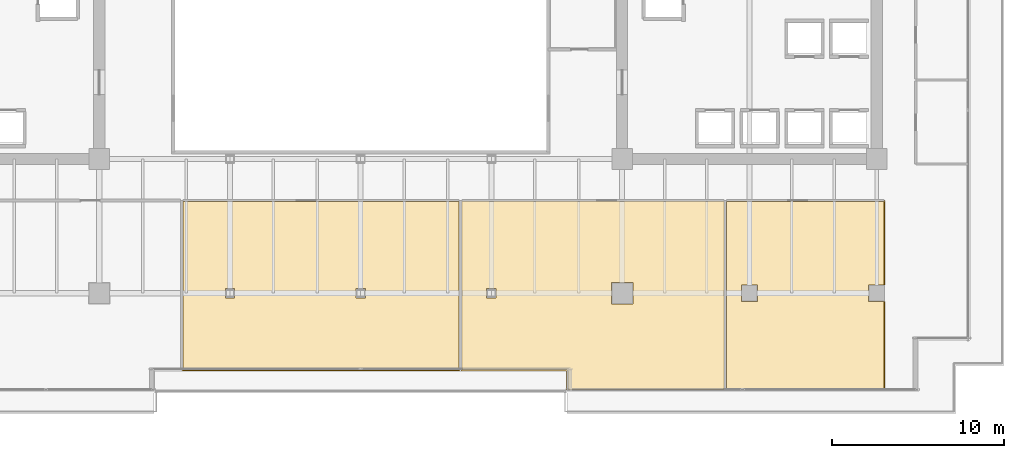
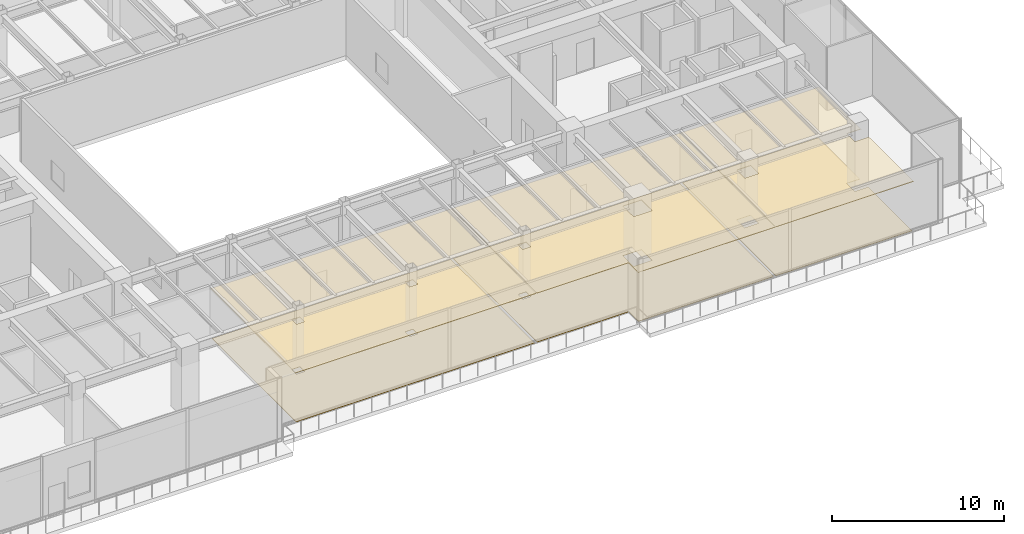
# One storey, part 31 of 33: 6 coverings.
"""IFC4 building model written with IfcOpenShell, lengths in metres."""

from ifc_helpers import new_model, si_unit, direction, frame, origin, place, context, subcontext, project, spatial, polyline, outline, extrude, material, layer, layer_set, type_object, element, save


model = new_model("IFC4")

# Units and contexts
model_context = context("Model", 3, precision=1e-05, world=origin(), true_north=direction((0.0, 1.0)))
body_context = subcontext(model_context, "Body", "Model", "MODEL_VIEW")
ifc_project = project(units=[si_unit("LENGTHUNIT", "METRE"), si_unit("AREAUNIT", "SQUARE_METRE"), si_unit("VOLUMEUNIT", "CUBIC_METRE"), si_unit("PLANEANGLEUNIT", "RADIAN"), si_unit("MASSUNIT", "GRAM", prefix="KILO")], contexts=[model_context])

# Site, building, storey
site_placement = place(None, origin())
site = spatial("IfcSite", under=ifc_project, at=site_placement, CompositionType="ELEMENT")
building_placement = place(site_placement, origin())
building = spatial("IfcBuilding", under=site, at=building_placement, Name="Haelvirn Gate Laboratories", CompositionType="ELEMENT")
storey_placement = place(building_placement, frame((0.0, 0.0, 100.300048828125)))
storey = spatial("IfcBuildingStorey", under=building, at=storey_placement, Name="L24", CompositionType="ELEMENT", Elevation=100.300048828125)

# Coverings
ifc_material_1 = material(Name="Micro-perforated acoustic mineral-fibre laboratory ceiling")
ifc_layer_1 = layer(ifc_material_1, 0.0400390625, Name="COV-CEIL-ACT")
ifc_layer_set_1 = layer_set([ifc_layer_1], Name="Micro-perforated acoustic mineral-fibre laboratory ceiling")
covering_type_1 = type_object("IfcCoveringType", Name="COV-CEIL-ACT", PredefinedType="CEILING", material=ifc_layer_set_1)
covering_1_placement = place(storey_placement, frame((0.0, 0.0, 3.52001953125)))
element("IfcCovering", 1, at=covering_1_placement, inside=storey, type_object=covering_type_1, Name="L24 Laboratory Acoustic Ceiling CEIL-SP-L24-S-03", PredefinedType="CEILING", context=body_context, shape_type="SweptSolid", body=[
    extrude(outline(polyline([(43.179931640625, 12.3798828125), (43.179931640625, 2.47998046875), (27.02001953125, 2.47998046875), (27.02001953125, 12.3798828125), (43.179931640625, 12.3798828125)]), holes=[polyline([(29.530029296875, 7.27001953125), (29.530029296875, 6.72998046875), (30.070068359375, 6.72998046875), (30.070068359375, 7.27001953125), (29.530029296875, 7.27001953125)]), polyline([(37.669921875, 7.27001953125), (37.1298828125, 7.27001953125), (37.1298828125, 6.72998046875), (37.669921875, 6.72998046875), (37.669921875, 7.27001953125)])]), origin(), (0.0, 0.0, 1.0), 0.0400390625),
])
covering_2_placement = place(storey_placement, frame((0.0, 0.0, 3.52001953125)))
element("IfcCovering", 2, at=covering_2_placement, inside=storey, type_object=covering_type_1, Name="L24 Laboratory Acoustic Ceiling CEIL-SP-L24-S-04", PredefinedType="CEILING", context=body_context, shape_type="SweptSolid", body=[
    extrude(outline(polyline([(43.219970703125, 2.47998046875), (43.219970703125, 12.3798828125), (58.580078125, 12.3798828125), (58.580078125, 1.35009765625), (49.3798828125, 1.35009765625), (49.3798828125, 2.47998046875), (43.219970703125, 2.47998046875)]), holes=[polyline([(51.97998046875, 7.6201171875), (51.97998046875, 6.3798828125), (53.219970703125, 6.3798828125), (53.219970703125, 7.6201171875), (51.97998046875, 7.6201171875)]), polyline([(45.27001953125, 7.27001953125), (44.72998046875, 7.27001953125), (44.72998046875, 6.72998046875), (45.27001953125, 6.72998046875), (45.27001953125, 7.27001953125)])]), origin(), (0.0, 0.0, 1.0), 0.0400390625),
])
covering_3_placement = place(storey_placement, frame((0.0, 0.0, 3.52001953125)))
element("IfcCovering", 3, at=covering_3_placement, inside=storey, type_object=covering_type_1, Name="L24 Laboratory Acoustic Ceiling CEIL-SP-L24-S-05", PredefinedType="CEILING", context=body_context, shape_type="SweptSolid", body=[
    extrude(outline(polyline([(67.8798828125, 6.590087890625), (67.8798828125, 1.35009765625), (58.6201171875, 1.35009765625), (58.6201171875, 12.3798828125), (67.8798828125, 12.3798828125), (67.8798828125, 7.409912109375), (67.8701171875, 7.409912109375), (67.8701171875, 7.469970703125), (66.929931640625, 7.469970703125), (66.929931640625, 6.530029296875), (67.8701171875, 6.530029296875), (67.8701171875, 6.590087890625), (67.8798828125, 6.590087890625)]), holes=[polyline([(59.530029296875, 7.469970703125), (59.530029296875, 6.530029296875), (60.469970703125, 6.530029296875), (60.469970703125, 7.469970703125), (59.530029296875, 7.469970703125)])]), origin(), (0.0, 0.0, 1.0), 0.0400390625),
])
ifc_material_2 = material(Name="Honed granite concourse terrazzo flooring", Category="masonry")
ifc_layer_2 = layer(ifc_material_2, 0.02490234375, Name="COV-FLR-TERRA")
ifc_layer_set_2 = layer_set([ifc_layer_2], Name="Honed granite concourse terrazzo flooring")
covering_type_2 = type_object("IfcCoveringType", Name="COV-FLR-TERRA", PredefinedType="FLOORING", material=ifc_layer_set_2)
covering_4_placement = place(storey_placement, origin())
element("IfcCovering", 4, at=covering_4_placement, inside=storey, type_object=covering_type_2, Name="L24 Seamless Laboratory Flooring FLR-SP-L24-S-03", PredefinedType="FLOORING", context=body_context, shape_type="SweptSolid", body=[
    extrude(outline(polyline([(27.080078125, 2.5400390625), (27.080078125, 12.320068359375), (43.1201171875, 12.320068359375), (43.1201171875, 2.5400390625), (27.080078125, 2.5400390625)]), holes=[polyline([(29.530029296875, 6.72998046875), (30.070068359375, 6.72998046875), (30.070068359375, 7.27001953125), (29.530029296875, 7.27001953125), (29.530029296875, 6.72998046875)]), polyline([(37.1298828125, 7.27001953125), (37.1298828125, 6.72998046875), (37.669921875, 6.72998046875), (37.669921875, 7.27001953125), (37.1298828125, 7.27001953125)])]), origin(), (0.0, 0.0, 1.0), 0.02490234375),
])
covering_5_placement = place(storey_placement, origin())
element("IfcCovering", 5, at=covering_5_placement, inside=storey, type_object=covering_type_2, Name="L24 Seamless Laboratory Flooring FLR-SP-L24-S-04", PredefinedType="FLOORING", context=body_context, shape_type="SweptSolid", body=[
    extrude(outline(polyline([(49.43994140625, 1.409912109375), (49.43994140625, 2.5), (49.439697265625, 2.50390625), (49.439208984375, 2.5078125), (49.438232421875, 2.51171875), (49.43701171875, 2.515380859375), (49.435302734375, 2.518798828125), (49.433349609375, 2.522216796875), (49.430908203125, 2.525390625), (49.42822265625, 2.5283203125), (49.42529296875, 2.531005859375), (49.422119140625, 2.533203125), (49.4189453125, 2.535400390625), (49.415283203125, 2.537109375), (49.41162109375, 2.538330078125), (49.40771484375, 2.539306640625), (49.40380859375, 2.539794921875), (49.39990234375, 2.5400390625), (43.280029296875, 2.5400390625), (43.280029296875, 12.320068359375), (58.52001953125, 12.320068359375), (58.52001953125, 1.409912109375), (49.43994140625, 1.409912109375)]), holes=[polyline([(51.97998046875, 6.3798828125), (53.219970703125, 6.3798828125), (53.219970703125, 7.6201171875), (51.97998046875, 7.6201171875), (51.97998046875, 6.3798828125)]), polyline([(44.72998046875, 7.27001953125), (44.72998046875, 6.72998046875), (45.27001953125, 6.72998046875), (45.27001953125, 7.27001953125), (44.72998046875, 7.27001953125)])]), origin(), (0.0, 0.0, 1.0), 0.02490234375),
])
covering_6_placement = place(storey_placement, origin())
element("IfcCovering", 6, at=covering_6_placement, inside=storey, type_object=covering_type_2, Name="L24 Seamless Laboratory Flooring FLR-SP-L24-S-05", PredefinedType="FLOORING", context=body_context, shape_type="SweptSolid", body=[
    extrude(outline(polyline([(67.820068359375, 7.469970703125), (66.929931640625, 7.469970703125), (66.929931640625, 6.530029296875), (67.820068359375, 6.530029296875), (67.820068359375, 1.409912109375), (58.679931640625, 1.409912109375), (58.679931640625, 12.320068359375), (67.820068359375, 12.320068359375), (67.820068359375, 7.469970703125)]), holes=[polyline([(59.530029296875, 6.530029296875), (60.469970703125, 6.530029296875), (60.469970703125, 7.469970703125), (59.530029296875, 7.469970703125), (59.530029296875, 6.530029296875)])]), origin(), (0.0, 0.0, 1.0), 0.02490234375),
])

save(model, "model.ifc")
